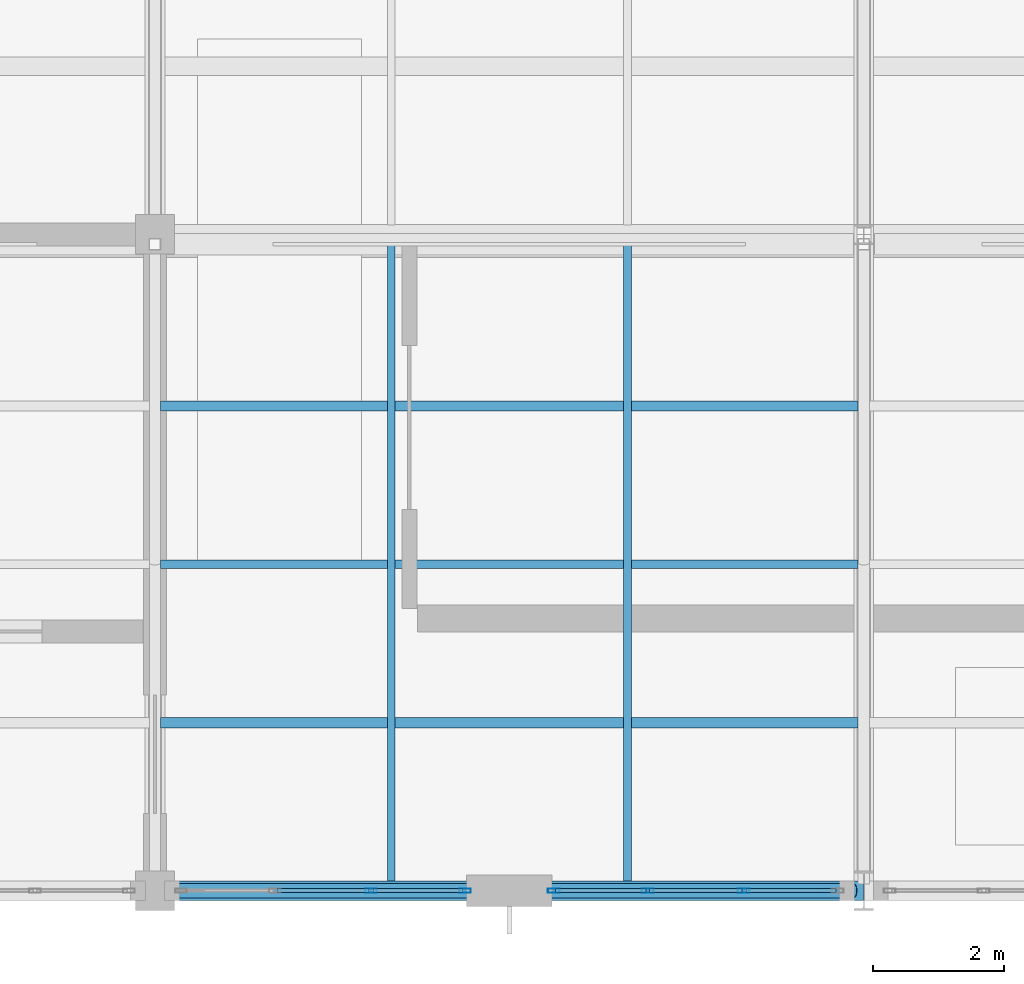
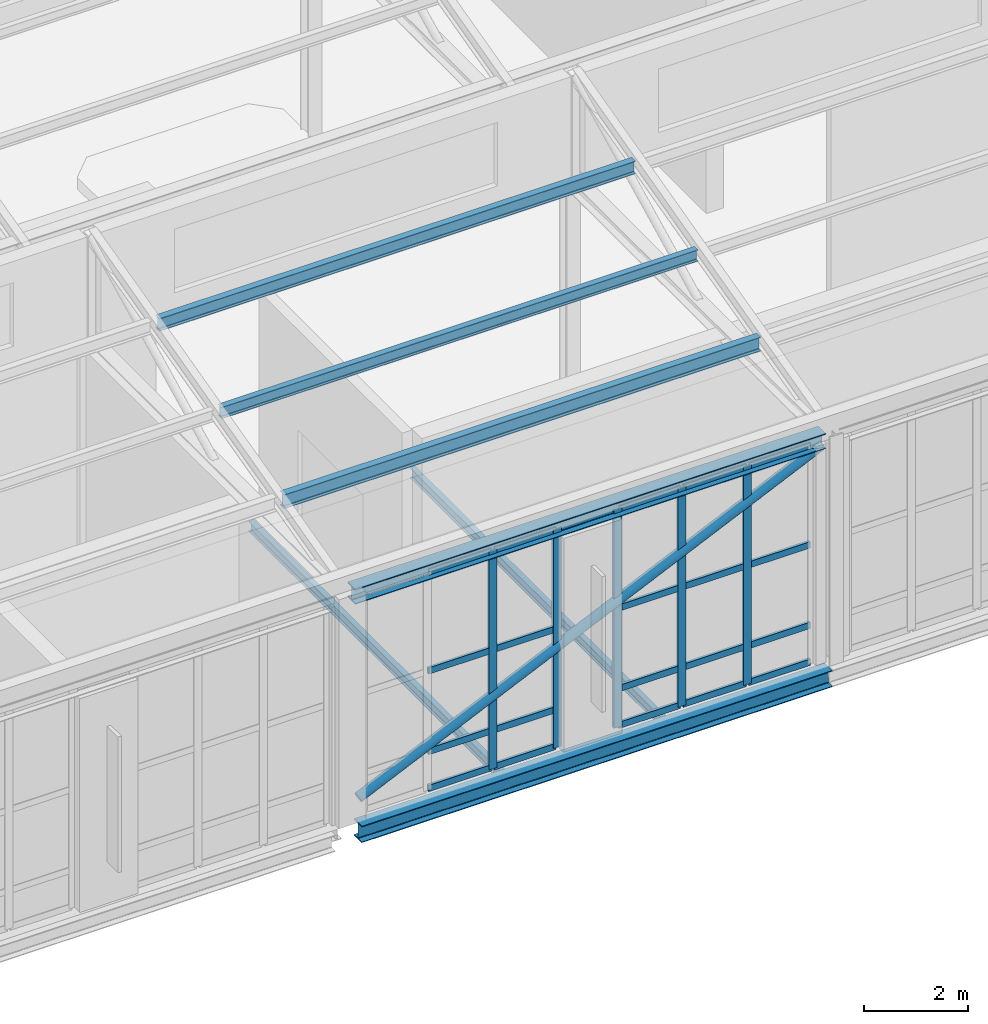
# One storey, part 8 of 49: 29 members, 4 beams, 2 elements without a shape of their own.
"""IFC4 building model written with IfcOpenShell, lengths in metres."""

from ifc_helpers import new_model, si_unit, direction, frame, origin, origin_2d, place, context, subcontext, project, spatial, hollow_rectangle, hollow_circle, i_section, extrude, material, layer, layer_set, material_profile, profile_set, type_object, element, aggregate, save


model = new_model("IFC4")

# Units and contexts
model_context = context("Model", 3, precision=1e-05, world=origin(), true_north=direction((0.0, 1.0)))
body_context = subcontext(model_context, "Body", "Model", "MODEL_VIEW")
ifc_project = project(units=[si_unit("LENGTHUNIT", "METRE"), si_unit("AREAUNIT", "SQUARE_METRE"), si_unit("VOLUMEUNIT", "CUBIC_METRE"), si_unit("PLANEANGLEUNIT", "RADIAN"), si_unit("MASSUNIT", "GRAM", prefix="KILO")], contexts=[model_context])

# Site, building, storey
site_placement = place(None, origin())
site = spatial("IfcSite", under=ifc_project, at=site_placement, CompositionType="ELEMENT")
building_placement = place(site_placement, origin())
building = spatial("IfcBuilding", under=site, at=building_placement, Name="Tasgan Crest Museum", CompositionType="ELEMENT")
storey_placement = place(building_placement, frame((0.0, 0.0, 28.800048828125)))
storey = spatial("IfcBuildingStorey", under=building, at=storey_placement, Name="L05", CompositionType="ELEMENT", Elevation=28.800048828125)

# Beams
ifc_material_1 = material(Name="Steel S355J2", Category="steel")
ifc_material_profile_1 = material_profile(ifc_material_1, i_section(OverallWidth=0.300048828125, OverallDepth=0.35009765625, WebThickness=0.009521484375, FlangeThickness=0.017578125, FilletRadius=0.027099609375, at=origin_2d()), Name="HEA 360")
ifc_profile_set_1 = profile_set([ifc_material_profile_1], Name="Steel S355J2")
beam_type_1 = type_object("IfcBeamType", Name="BM-G-HEA360", PredefinedType="BEAM", material=ifc_profile_set_1)
beam_1_placement = place(storey_placement, frame((21.75, 82.0, 5.219970703125), z_axis=(1.0, 0.0, 0.0), x_axis=(0.0, 1.0, 0.0)))
element("IfcBeam", 1, at=beam_1_placement, inside=storey, type_object=beam_type_1, Name="Sawtooth valley girder B1 21.6-32.4", PredefinedType="BEAM", context=body_context, shape_type="SweptSolid", body=[
    extrude(i_section(OverallWidth=0.300048828125, OverallDepth=0.35009765625, WebThickness=0.009521484375, FlangeThickness=0.017578125, FilletRadius=0.027099609375, at=origin_2d()), origin(), (0.0, 0.0, 1.0), 10.5),
])
ifc_material_2 = material(Name="Steel S355J2", Category="steel")
ifc_material_profile_2 = material_profile(ifc_material_2, i_section(OverallWidth=0.300048828125, OverallDepth=0.389892578125, WebThickness=0.010986328125, FlangeThickness=0.01904296875, FilletRadius=0.027099609375, at=origin_2d()), Name="HEA 400")
ifc_profile_set_2 = profile_set([ifc_material_profile_2], Name="Steel S355J2")
beam_type_2 = type_object("IfcBeamType", Name="BM-G-HEA400", PredefinedType="BEAM", material=ifc_profile_set_2)
beam_2_placement = place(storey_placement, frame((21.89599609375, 82.0, -0.43505859375), z_axis=(1.0, 0.0, 0.0), x_axis=(0.0, 1.0, 0.0)))
element("IfcBeam", 2, at=beam_2_placement, inside=storey, type_object=beam_type_2, Name="Girder L05 J 21.6-32.4", PredefinedType="BEAM", context=body_context, shape_type="SweptSolid", body=[
    extrude(i_section(OverallWidth=0.300048828125, OverallDepth=0.389892578125, WebThickness=0.010986328125, FlangeThickness=0.01904296875, FilletRadius=0.027099609375, at=origin_2d()), origin(), (0.0, 0.0, 1.0), 10.498291015625),
])
ifc_material_3 = material(Name="Steel S355J2", Category="steel")
ifc_material_profile_3 = material_profile(ifc_material_3, i_section(OverallWidth=0.1201171875, OverallDepth=0.239990234375, WebThickness=0.006103515625, FlangeThickness=0.009765625, FilletRadius=0.014892578125, at=origin_2d()), Name="IPE 240")
ifc_profile_set_3 = profile_set([ifc_material_profile_3], Name="Steel S355J2")
beam_type_3 = type_object("IfcBeamType", Name="BM-J-IPE240", PredefinedType="JOIST", material=ifc_profile_set_3)
for number, where, z_axis, x_axis, name in (
    (3, (25.199951171875, 82.14501953125, -0.360107421875), (0.0, 1.0, 0.0), (-1.0, 0.0, 0.0), "Secondary joist L05 X=25.2 Y=82.0-92.0"),
    (4, (28.800048828125, 82.14501953125, -0.360107421875), (0.0, 1.0, 0.0), (-1.0, 0.0, 0.0), "Secondary joist L05 X=28.8 Y=82.0-92.0"),
):
    element("IfcBeam", number, at=place(storey_placement, frame(where, z_axis=z_axis, x_axis=x_axis)), inside=storey, type_object=beam_type_3, Name=name, PredefinedType="JOIST", context=body_context, shape_type="SweptSolid", body=[
        extrude(i_section(OverallWidth=0.1201171875, OverallDepth=0.239990234375, WebThickness=0.006103515625, FlangeThickness=0.009765625, FilletRadius=0.014892578125, at=origin_2d()), origin(), (0.0, 0.0, 1.0), 9.7099609375),
    ])

# Curtain wall, members
ifc_material_4 = material(Name="Triple-Glazed Aluminium Curtain Wall", Category="aluminium")
ifc_layer = layer(ifc_material_4, 0.179931640625, Name="CW-GAL-X-54")
ifc_layer_set = layer_set([ifc_layer], Name="Triple-Glazed Aluminium Curtain Wall")
curtain_wall_type = type_object("IfcCurtainWallType", Name="CW-GAL-X-54", PredefinedType="NOTDEFINED", material=ifc_layer_set)
curtain_wall_1_placement = place(storey_placement, origin())
curtain_wall_1 = element("IfcCurtainWall", 5, at=curtain_wall_1_placement, inside=storey, type_object=curtain_wall_type, Name="Curtain wall L05 213", PredefinedType="NOTDEFINED")
ifc_material_5 = material(Name="Anodised Aluminium", Category="aluminium")
ifc_material_profile_4 = material_profile(ifc_material_5, hollow_rectangle(XDim=0.06494140625, YDim=0.179931640625, WallThickness=0.0048828125, at=origin_2d()), Name="ALU MULLION 180x65x5")
ifc_profile_set_4 = profile_set([ifc_material_profile_4], Name="Anodised Aluminium")
member_type_1 = type_object("IfcMemberType", Name="CW-MULLION-180", PredefinedType="MULLION", material=ifc_profile_set_4)
member_1_placement = place(storey_placement, frame((24.8916015625, 82.0, 0.0), z_axis=(0.0, 0.0, 1.0), x_axis=(0.0, 1.0, 0.0)))
member_1 = element("IfcMember", 6, at=member_1_placement, type_object=member_type_1, Name="CW15 mullion 3", PredefinedType="MULLION", context=body_context, shape_type="SweptSolid", body=[
    extrude(hollow_rectangle(XDim=0.06494140625, YDim=0.179931640625, WallThickness=0.0048828125, at=origin_2d()), origin(), (0.0, 0.0, 1.0), 5.159912109375),
])
member_2_placement = place(storey_placement, frame((26.324951171875, 82.0, 0.0), z_axis=(0.0, 0.0, 1.0), x_axis=(0.0, 1.0, 0.0)))
member_2 = element("IfcMember", 7, at=member_2_placement, type_object=member_type_1, Name="CW15 mullion 4", PredefinedType="MULLION", context=body_context, shape_type="SweptSolid", body=[
    extrude(hollow_rectangle(XDim=0.06494140625, YDim=0.179931640625, WallThickness=0.0048828125, at=origin_2d()), origin(), (0.0, 0.0, 1.0), 5.159912109375),
])

curtain_wall_2_placement = place(storey_placement, origin())
curtain_wall_2 = element("IfcCurtainWall", 8, at=curtain_wall_2_placement, inside=storey, type_object=curtain_wall_type, Name="Curtain wall L05 214", PredefinedType="NOTDEFINED")
member_3_placement = place(storey_placement, frame((27.675048828125, 82.0, 0.0), z_axis=(0.0, 0.0, 1.0), x_axis=(0.0, 1.0, 0.0)))
member_3 = element("IfcMember", 9, at=member_3_placement, type_object=member_type_1, Name="CW15 mullion 1", PredefinedType="MULLION", context=body_context, shape_type="SweptSolid", body=[
    extrude(hollow_rectangle(XDim=0.06494140625, YDim=0.179931640625, WallThickness=0.0048828125, at=origin_2d()), origin(), (0.0, 0.0, 1.0), 5.159912109375),
])
member_4_placement = place(storey_placement, frame((29.1083984375, 82.0, 0.0), z_axis=(0.0, 0.0, 1.0), x_axis=(0.0, 1.0, 0.0)))
member_4 = element("IfcMember", 10, at=member_4_placement, type_object=member_type_1, Name="CW15 mullion 2", PredefinedType="MULLION", context=body_context, shape_type="SweptSolid", body=[
    extrude(hollow_rectangle(XDim=0.06494140625, YDim=0.179931640625, WallThickness=0.0048828125, at=origin_2d()), origin(), (0.0, 0.0, 1.0), 5.159912109375),
])
member_5_placement = place(storey_placement, frame((30.57177734375, 82.0, 0.0), z_axis=(0.0, 0.0, 1.0), x_axis=(0.0, 1.0, 0.0)))
member_5 = element("IfcMember", 11, at=member_5_placement, type_object=member_type_1, Name="CW15 mullion 3", PredefinedType="MULLION", context=body_context, shape_type="SweptSolid", body=[
    extrude(hollow_rectangle(XDim=0.06494140625, YDim=0.179931640625, WallThickness=0.0048828125, at=origin_2d()), origin(), (0.0, 0.0, 1.0), 5.159912109375),
])

# Member
ifc_material_6 = material(Name="Anodised Aluminium", Category="aluminium")
ifc_material_profile_5 = material_profile(ifc_material_6, hollow_rectangle(XDim=0.06005859375, YDim=0.14990234375, WallThickness=0.0048828125, at=origin_2d()), Name="ALU TRANSOM 150x60x5")
ifc_profile_set_5 = profile_set([ifc_material_profile_5], Name="Anodised Aluminium")
member_type_2 = type_object("IfcMemberType", Name="CW-TRANSOM-150", PredefinedType="USERDEFINED", material=ifc_profile_set_5)
member_6_placement = place(storey_placement, frame((23.458251953125, 82.0, 0.030029296875), z_axis=(1.0, 0.0, 0.0), x_axis=(0.0, 1.0, 0.0)))
member_6 = element("IfcMember", 12, at=member_6_placement, type_object=member_type_2, Name="CW15 transom 2.1", ObjectType="TRANSOM", PredefinedType="USERDEFINED", context=body_context, shape_type="SweptSolid", body=[
    extrude(hollow_rectangle(XDim=0.06005859375, YDim=0.14990234375, WallThickness=0.0048828125, at=origin_2d()), origin(), (0.0, 0.0, 1.0), 1.4033203125),
])

member_7_placement = place(storey_placement, frame((23.458251953125, 82.0, 0.89990234375), z_axis=(1.0, 0.0, 0.0), x_axis=(0.0, 1.0, 0.0)))
member_7 = element("IfcMember", 13, at=member_7_placement, type_object=member_type_2, Name="CW15 transom 2.2", ObjectType="TRANSOM", PredefinedType="USERDEFINED", context=body_context, shape_type="SweptSolid", body=[
    extrude(hollow_rectangle(XDim=0.06005859375, YDim=0.14990234375, WallThickness=0.0048828125, at=origin_2d()), origin(), (0.0, 0.0, 1.0), 1.4033203125),
])

member_8_placement = place(storey_placement, frame((23.458251953125, 82.0, 2.800048828125), z_axis=(1.0, 0.0, 0.0), x_axis=(0.0, 1.0, 0.0)))
member_8 = element("IfcMember", 14, at=member_8_placement, type_object=member_type_2, Name="CW15 transom 2.3", ObjectType="TRANSOM", PredefinedType="USERDEFINED", context=body_context, shape_type="SweptSolid", body=[
    extrude(hollow_rectangle(XDim=0.06005859375, YDim=0.14990234375, WallThickness=0.0048828125, at=origin_2d()), origin(), (0.0, 0.0, 1.0), 1.4033203125),
])

member_9_placement = place(storey_placement, frame((23.458251953125, 82.0, 5.1298828125), z_axis=(1.0, 0.0, 0.0), x_axis=(0.0, 1.0, 0.0)))
member_9 = element("IfcMember", 15, at=member_9_placement, type_object=member_type_2, Name="CW15 transom 2.4", ObjectType="TRANSOM", PredefinedType="USERDEFINED", context=body_context, shape_type="SweptSolid", body=[
    extrude(hollow_rectangle(XDim=0.06005859375, YDim=0.14990234375, WallThickness=0.0048828125, at=origin_2d()), origin(), (0.0, 0.0, 1.0), 1.4033203125),
])

member_10_placement = place(storey_placement, frame((24.921630859375, 82.0, 0.030029296875), z_axis=(1.0, 0.0, 0.0), x_axis=(0.0, 1.0, 0.0)))
member_10 = element("IfcMember", 16, at=member_10_placement, type_object=member_type_2, Name="CW15 transom 3.1", ObjectType="TRANSOM", PredefinedType="USERDEFINED", context=body_context, shape_type="SweptSolid", body=[
    extrude(hollow_rectangle(XDim=0.06005859375, YDim=0.14990234375, WallThickness=0.0048828125, at=origin_2d()), origin(), (0.0, 0.0, 1.0), 1.373291015625),
])

member_11_placement = place(storey_placement, frame((24.921630859375, 82.0, 0.89990234375), z_axis=(1.0, 0.0, 0.0), x_axis=(0.0, 1.0, 0.0)))
member_11 = element("IfcMember", 17, at=member_11_placement, type_object=member_type_2, Name="CW15 transom 3.2", ObjectType="TRANSOM", PredefinedType="USERDEFINED", context=body_context, shape_type="SweptSolid", body=[
    extrude(hollow_rectangle(XDim=0.06005859375, YDim=0.14990234375, WallThickness=0.0048828125, at=origin_2d()), origin(), (0.0, 0.0, 1.0), 1.373291015625),
])

member_12_placement = place(storey_placement, frame((24.921630859375, 82.0, 2.800048828125), z_axis=(1.0, 0.0, 0.0), x_axis=(0.0, 1.0, 0.0)))
member_12 = element("IfcMember", 18, at=member_12_placement, type_object=member_type_2, Name="CW15 transom 3.3", ObjectType="TRANSOM", PredefinedType="USERDEFINED", context=body_context, shape_type="SweptSolid", body=[
    extrude(hollow_rectangle(XDim=0.06005859375, YDim=0.14990234375, WallThickness=0.0048828125, at=origin_2d()), origin(), (0.0, 0.0, 1.0), 1.373291015625),
])

member_13_placement = place(storey_placement, frame((24.921630859375, 82.0, 5.1298828125), z_axis=(1.0, 0.0, 0.0), x_axis=(0.0, 1.0, 0.0)))
member_13 = element("IfcMember", 19, at=member_13_placement, type_object=member_type_2, Name="CW15 transom 3.4", ObjectType="TRANSOM", PredefinedType="USERDEFINED", context=body_context, shape_type="SweptSolid", body=[
    extrude(hollow_rectangle(XDim=0.06005859375, YDim=0.14990234375, WallThickness=0.0048828125, at=origin_2d()), origin(), (0.0, 0.0, 1.0), 1.373291015625),
])

aggregate(curtain_wall_1, [member_1, member_2, member_6, member_7, member_8, member_9, member_10, member_11, member_12, member_13])

member_14_placement = place(storey_placement, frame((27.705078125, 82.0, 0.030029296875), z_axis=(1.0, 0.0, 0.0), x_axis=(0.0, 1.0, 0.0)))
member_14 = element("IfcMember", 20, at=member_14_placement, type_object=member_type_2, Name="CW15 transom 1.1", ObjectType="TRANSOM", PredefinedType="USERDEFINED", context=body_context, shape_type="SweptSolid", body=[
    extrude(hollow_rectangle(XDim=0.06005859375, YDim=0.14990234375, WallThickness=0.0048828125, at=origin_2d()), origin(), (0.0, 0.0, 1.0), 1.373291015625),
])

member_15_placement = place(storey_placement, frame((27.705078125, 82.0, 0.89990234375), z_axis=(1.0, 0.0, 0.0), x_axis=(0.0, 1.0, 0.0)))
member_15 = element("IfcMember", 21, at=member_15_placement, type_object=member_type_2, Name="CW15 transom 1.2", ObjectType="TRANSOM", PredefinedType="USERDEFINED", context=body_context, shape_type="SweptSolid", body=[
    extrude(hollow_rectangle(XDim=0.06005859375, YDim=0.14990234375, WallThickness=0.0048828125, at=origin_2d()), origin(), (0.0, 0.0, 1.0), 1.373291015625),
])

member_16_placement = place(storey_placement, frame((27.705078125, 82.0, 2.800048828125), z_axis=(1.0, 0.0, 0.0), x_axis=(0.0, 1.0, 0.0)))
member_16 = element("IfcMember", 22, at=member_16_placement, type_object=member_type_2, Name="CW15 transom 1.3", ObjectType="TRANSOM", PredefinedType="USERDEFINED", context=body_context, shape_type="SweptSolid", body=[
    extrude(hollow_rectangle(XDim=0.06005859375, YDim=0.14990234375, WallThickness=0.0048828125, at=origin_2d()), origin(), (0.0, 0.0, 1.0), 1.373291015625),
])

member_17_placement = place(storey_placement, frame((27.705078125, 82.0, 5.1298828125), z_axis=(1.0, 0.0, 0.0), x_axis=(0.0, 1.0, 0.0)))
member_17 = element("IfcMember", 23, at=member_17_placement, type_object=member_type_2, Name="CW15 transom 1.4", ObjectType="TRANSOM", PredefinedType="USERDEFINED", context=body_context, shape_type="SweptSolid", body=[
    extrude(hollow_rectangle(XDim=0.06005859375, YDim=0.14990234375, WallThickness=0.0048828125, at=origin_2d()), origin(), (0.0, 0.0, 1.0), 1.373291015625),
])

member_18_placement = place(storey_placement, frame((29.138427734375, 82.0, 0.030029296875), z_axis=(1.0, 0.0, 0.0), x_axis=(0.0, 1.0, 0.0)))
member_18 = element("IfcMember", 24, at=member_18_placement, type_object=member_type_2, Name="CW15 transom 2.1", ObjectType="TRANSOM", PredefinedType="USERDEFINED", context=body_context, shape_type="SweptSolid", body=[
    extrude(hollow_rectangle(XDim=0.06005859375, YDim=0.14990234375, WallThickness=0.0048828125, at=origin_2d()), origin(), (0.0, 0.0, 1.0), 1.4033203125),
])

member_19_placement = place(storey_placement, frame((29.138427734375, 82.0, 0.89990234375), z_axis=(1.0, 0.0, 0.0), x_axis=(0.0, 1.0, 0.0)))
member_19 = element("IfcMember", 25, at=member_19_placement, type_object=member_type_2, Name="CW15 transom 2.2", ObjectType="TRANSOM", PredefinedType="USERDEFINED", context=body_context, shape_type="SweptSolid", body=[
    extrude(hollow_rectangle(XDim=0.06005859375, YDim=0.14990234375, WallThickness=0.0048828125, at=origin_2d()), origin(), (0.0, 0.0, 1.0), 1.4033203125),
])

member_20_placement = place(storey_placement, frame((29.138427734375, 82.0, 2.800048828125), z_axis=(1.0, 0.0, 0.0), x_axis=(0.0, 1.0, 0.0)))
member_20 = element("IfcMember", 26, at=member_20_placement, type_object=member_type_2, Name="CW15 transom 2.3", ObjectType="TRANSOM", PredefinedType="USERDEFINED", context=body_context, shape_type="SweptSolid", body=[
    extrude(hollow_rectangle(XDim=0.06005859375, YDim=0.14990234375, WallThickness=0.0048828125, at=origin_2d()), origin(), (0.0, 0.0, 1.0), 1.4033203125),
])

member_21_placement = place(storey_placement, frame((29.138427734375, 82.0, 5.1298828125), z_axis=(1.0, 0.0, 0.0), x_axis=(0.0, 1.0, 0.0)))
member_21 = element("IfcMember", 27, at=member_21_placement, type_object=member_type_2, Name="CW15 transom 2.4", ObjectType="TRANSOM", PredefinedType="USERDEFINED", context=body_context, shape_type="SweptSolid", body=[
    extrude(hollow_rectangle(XDim=0.06005859375, YDim=0.14990234375, WallThickness=0.0048828125, at=origin_2d()), origin(), (0.0, 0.0, 1.0), 1.4033203125),
])

member_22_placement = place(storey_placement, frame((30.6015625, 82.0, 0.030029296875), z_axis=(1.0, 0.0, 0.0), x_axis=(0.0, 1.0, 0.0)))
member_22 = element("IfcMember", 28, at=member_22_placement, type_object=member_type_2, Name="CW15 transom 3.1", ObjectType="TRANSOM", PredefinedType="USERDEFINED", context=body_context, shape_type="SweptSolid", body=[
    extrude(hollow_rectangle(XDim=0.06005859375, YDim=0.14990234375, WallThickness=0.0048828125, at=origin_2d()), origin(), (0.0, 0.0, 1.0), 1.37353515625),
])

member_23_placement = place(storey_placement, frame((30.6015625, 82.0, 0.89990234375), z_axis=(1.0, 0.0, 0.0), x_axis=(0.0, 1.0, 0.0)))
member_23 = element("IfcMember", 29, at=member_23_placement, type_object=member_type_2, Name="CW15 transom 3.2", ObjectType="TRANSOM", PredefinedType="USERDEFINED", context=body_context, shape_type="SweptSolid", body=[
    extrude(hollow_rectangle(XDim=0.06005859375, YDim=0.14990234375, WallThickness=0.0048828125, at=origin_2d()), origin(), (0.0, 0.0, 1.0), 1.37353515625),
])

member_24_placement = place(storey_placement, frame((30.6015625, 82.0, 2.800048828125), z_axis=(1.0, 0.0, 0.0), x_axis=(0.0, 1.0, 0.0)))
member_24 = element("IfcMember", 30, at=member_24_placement, type_object=member_type_2, Name="CW15 transom 3.3", ObjectType="TRANSOM", PredefinedType="USERDEFINED", context=body_context, shape_type="SweptSolid", body=[
    extrude(hollow_rectangle(XDim=0.06005859375, YDim=0.14990234375, WallThickness=0.0048828125, at=origin_2d()), origin(), (0.0, 0.0, 1.0), 1.37353515625),
])

member_25_placement = place(storey_placement, frame((30.6015625, 82.0, 5.1298828125), z_axis=(1.0, 0.0, 0.0), x_axis=(0.0, 1.0, 0.0)))
member_25 = element("IfcMember", 31, at=member_25_placement, type_object=member_type_2, Name="CW15 transom 3.4", ObjectType="TRANSOM", PredefinedType="USERDEFINED", context=body_context, shape_type="SweptSolid", body=[
    extrude(hollow_rectangle(XDim=0.06005859375, YDim=0.14990234375, WallThickness=0.0048828125, at=origin_2d()), origin(), (0.0, 0.0, 1.0), 1.37353515625),
])

aggregate(curtain_wall_2, [member_3, member_4, member_5, member_14, member_15, member_16, member_17, member_18, member_19, member_20, member_21, member_22, member_23, member_24, member_25])

# Members
ifc_material_7 = material(Name="Steel S355J2", Category="steel")
ifc_material_profile_6 = material_profile(ifc_material_7, hollow_circle(Radius=0.109619140625, WallThickness=0.010009765625, at=origin_2d()), Name="CHS 219.1x10")
ifc_profile_set_6 = profile_set([ifc_material_profile_6], Name="Steel S355J2")
member_type_3 = type_object("IfcMemberType", Name="MEM-BRACE-CHS219", PredefinedType="BRACE", material=ifc_profile_set_6)
member_26_placement = place(storey_placement, frame((21.89990234375, 82.0, 0.349853515625), z_axis=(0.910180365007, 0.0, 0.414212147523), x_axis=(0.0, 1.0, 0.0)))
element("IfcMember", 32, at=member_26_placement, inside=storey, type_object=member_type_3, Name="Diagonal brace L05 J 21.6-32.4", PredefinedType="BRACE", context=body_context, shape_type="SweptSolid", body=[
    extrude(hollow_circle(Radius=0.109619140625, WallThickness=0.010009765625, at=origin_2d()), origin(), (0.0, 0.0, 1.0), 11.37158203125),
])
ifc_material_8 = material(Name="Steel S355J2", Category="steel")
ifc_material_profile_7 = material_profile(ifc_material_8, i_section(OverallWidth=0.14990234375, OverallDepth=0.300048828125, WebThickness=0.007080078125, FlangeThickness=0.0107421875, FilletRadius=0.014892578125, at=origin_2d()), Name="IPE 300")
ifc_profile_set_7 = profile_set([ifc_material_profile_7], Name="Steel S355J2")
member_type_4 = type_object("IfcMemberType", Name="MEM-PUR-IPE300", PredefinedType="PURLIN", material=ifc_profile_set_7)
member_27_placement = place(storey_placement, frame((21.68505859375, 89.387451171875, 7.1298828125), z_axis=(1.0, 0.0, 0.0), x_axis=(0.0, 1.0, 0.0)))
element("IfcMember", 33, at=member_27_placement, inside=storey, type_object=member_type_4, Name="Sawtooth roof purlin B1 21.6-32.4 P3", PredefinedType="PURLIN", context=body_context, shape_type="SweptSolid", body=[
    extrude(i_section(OverallWidth=0.14990234375, OverallDepth=0.300048828125, WebThickness=0.007080078125, FlangeThickness=0.0107421875, FilletRadius=0.014892578125, at=origin_2d()), origin(), (0.0, 0.0, 1.0), 10.6298828125),
])
ifc_material_9 = material(Name="Steel S355J2", Category="steel")
ifc_material_profile_8 = material_profile(ifc_material_9, i_section(OverallWidth=0.159912109375, OverallDepth=0.330078125, WebThickness=0.007568359375, FlangeThickness=0.011474609375, FilletRadius=0.01806640625, at=origin_2d()), Name="IPE 330")
ifc_profile_set_8 = profile_set([ifc_material_profile_8], Name="Steel S355J2")
member_type_5 = type_object("IfcMemberType", Name="MEM-PUR-IPE330", PredefinedType="PURLIN", material=ifc_profile_set_8)
member_28_placement = place(storey_placement, frame((21.68505859375, 84.5625, 5.889892578125), z_axis=(1.0, 0.0, 0.0), x_axis=(0.0, 1.0, 0.0)))
element("IfcMember", 34, at=member_28_placement, inside=storey, type_object=member_type_5, Name="Sawtooth roof purlin B1 21.6-32.4 P1", PredefinedType="PURLIN", context=body_context, shape_type="SweptSolid", body=[
    extrude(i_section(OverallWidth=0.159912109375, OverallDepth=0.330078125, WebThickness=0.007568359375, FlangeThickness=0.011474609375, FilletRadius=0.01806640625, at=origin_2d()), origin(), (0.0, 0.0, 1.0), 10.6298828125),
])
ifc_material_10 = material(Name="Steel S355J2", Category="steel")
ifc_material_profile_9 = material_profile(ifc_material_10, i_section(OverallWidth=0.135009765625, OverallDepth=0.27001953125, WebThickness=0.006591796875, FlangeThickness=0.01025390625, FilletRadius=0.014892578125, at=origin_2d()), Name="IPE 270")
ifc_profile_set_9 = profile_set([ifc_material_profile_9], Name="Steel S355J2")
member_type_6 = type_object("IfcMemberType", Name="MEM-PURLIN-270", PredefinedType="PURLIN", material=ifc_profile_set_9)
member_29_placement = place(storey_placement, frame((21.68505859375, 86.97509765625, 6.510009765625), z_axis=(1.0, 0.0, 0.0), x_axis=(0.0, 1.0, 0.0)))
element("IfcMember", 35, at=member_29_placement, inside=storey, type_object=member_type_6, Name="Sawtooth roof purlin B1 21.6-32.4 P2", PredefinedType="PURLIN", context=body_context, shape_type="SweptSolid", body=[
    extrude(i_section(OverallWidth=0.135009765625, OverallDepth=0.27001953125, WebThickness=0.006591796875, FlangeThickness=0.01025390625, FilletRadius=0.014892578125, at=origin_2d()), origin(), (0.0, 0.0, 1.0), 10.6298828125),
])

save(model, "model.ifc")
